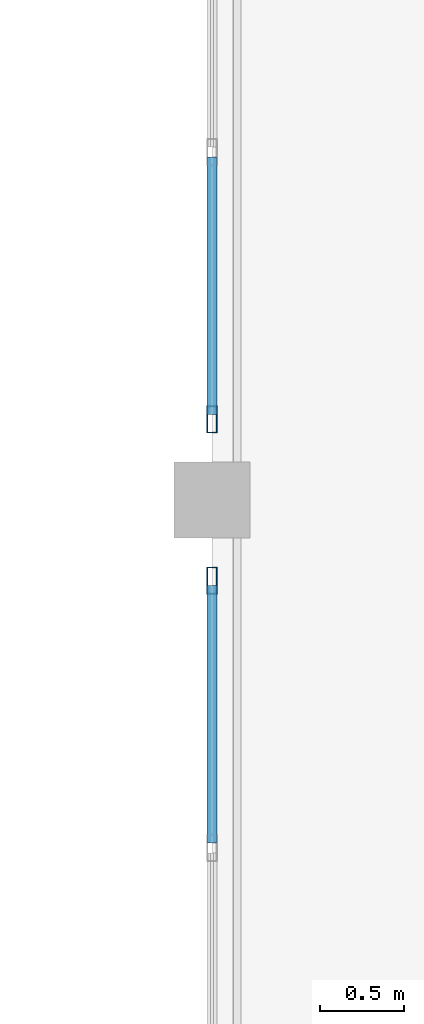
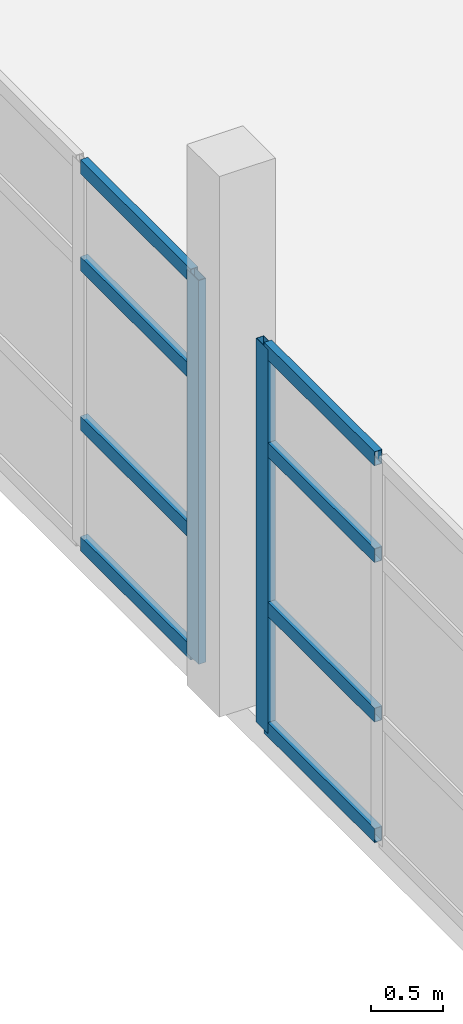
# One storey, part 18 of 80: 10 members, 2 elements without a shape of their own.
"""IFC4 building model written with IfcOpenShell, lengths in metres."""

import ifcopenshell
import ifcopenshell.guid

model = None  # the IFC model being written
_history = None  # IfcOwnerHistory: only IFC2X3 demands one
_inside = {}  # id of a spatial element -> (the spatial element, [elements in it])
_under = {}  # id of a project, library or spatial element -> (it, [spatial elements below it])
_declared = {}  # id of a project -> (the project, [libraries it declares])
_typed = {}  # id of a type object -> (the type object, [elements of that type])
_made_of = {}  # id of a material, layer set ... -> (it, [elements and type objects made of it])


def new_model(schema):
    """Start an empty IFC model of exactly this schema.

    Asked for "IFC4X3", IfcOpenShell would pick the latest addendum, in which some entities
    have other attributes; the version numbers below select the first issue.
    IFC2X3 requires an IfcOwnerHistory on every rooted entity: one is made here for all.
    """
    global model, _history
    if schema == "IFC4X3":
        model = ifcopenshell.file(schema_version=(4, 3, 0, 0))
    else:
        model = ifcopenshell.file(schema=schema)
    _inside.clear()
    _under.clear()
    _declared.clear()
    _typed.clear()
    _made_of.clear()
    _history = None
    if model.schema == "IFC2X3":
        org = make("IfcOrganization", Name="unknown")
        user = make(
            "IfcPersonAndOrganization",
            ThePerson=make("IfcPerson", FamilyName="unknown"),
            TheOrganization=org,
        )
        app = make(
            "IfcApplication",
            ApplicationDeveloper=org,
            Version="unknown",
            ApplicationFullName="unknown",
            ApplicationIdentifier="unknown",
        )
        _history = make(
            "IfcOwnerHistory",
            OwningUser=user,
            OwningApplication=app,
            ChangeAction="ADDED",
            CreationDate=0,
        )
    return model


def make(cls, **values):
    """One entity of the class cls with the attributes given. An attribute that is None is left unset."""
    return model.create_entity(
        cls, **{name: value for name, value in values.items() if value is not None}
    )


def rooted(cls, **values):
    """An entity with a GlobalId (a new one), such as an element, a storey or a relation."""
    return make(cls, GlobalId=ifcopenshell.guid.new(), OwnerHistory=_history, **values)


def si_unit(unit_type, name, prefix=None):
    """IfcSIUnit, for example si_unit("LENGTHUNIT", "METRE", prefix="MILLI")."""
    return make("IfcSIUnit", UnitType=unit_type, Prefix=prefix, Name=name)


def assignment(units):
    """IfcUnitAssignment: the units of a project."""
    return None if units is None else make("IfcUnitAssignment", Units=units)


def point(xyz):
    """IfcCartesianPoint."""
    return None if xyz is None else make("IfcCartesianPoint", Coordinates=xyz)


def direction(xyz):
    """IfcDirection."""
    return None if xyz is None else make("IfcDirection", DirectionRatios=xyz)


def frame(location, z_axis=None, x_axis=None):
    """IfcAxis2Placement3D, a coordinate frame: its origin and axes. An axis left out is left unset."""
    return make(
        "IfcAxis2Placement3D",
        Location=point(location),
        Axis=direction(z_axis),
        RefDirection=direction(x_axis),
    )


def frame_2d(location, x_axis=None):
    """IfcAxis2Placement2D, a coordinate frame in the plane: its origin and x axis."""
    return make(
        "IfcAxis2Placement2D", Location=point(location), RefDirection=direction(x_axis)
    )


def origin():
    """The frame at (0, 0, 0) with its axes left unset."""
    return frame((0.0, 0.0, 0.0))


def origin_2d():
    """The frame at (0, 0) in the plane with its x axis left unset."""
    return frame_2d((0.0, 0.0))


def place(relative_to, where):
    """IfcLocalPlacement: puts the frame where relative to a parent placement (None: the world)."""
    return make(
        "IfcLocalPlacement", PlacementRelTo=relative_to, RelativePlacement=where
    )


def context(
    kind, dimensions, precision=None, world=None, true_north=None, identifier=None
):
    """IfcGeometricRepresentationContext, for example the 3D "Model" context."""
    return make(
        "IfcGeometricRepresentationContext",
        ContextIdentifier=identifier,
        ContextType=kind,
        CoordinateSpaceDimension=dimensions,
        Precision=precision,
        WorldCoordinateSystem=world,
        TrueNorth=true_north,
    )


def subcontext(parent, identifier, kind, view, scale=None):
    """IfcGeometricRepresentationSubContext, for example "Body" below "Model"."""
    return make(
        "IfcGeometricRepresentationSubContext",
        ContextIdentifier=identifier,
        ContextType=kind,
        ParentContext=parent,
        TargetScale=scale,
        TargetView=view,
    )


def project(units=None, contexts=None):
    """IfcProject with its units and contexts."""
    return rooted(
        "IfcProject",
        Name="project",
        RepresentationContexts=contexts,
        UnitsInContext=assignment(units),
    )


def spatial(cls, under=None, at=None, **own):
    """A site, building, storey or space (cls), placed at a placement, below another one or the project."""
    s = rooted(cls, ObjectPlacement=at, **own)
    if under is not None:
        _under.setdefault(under.id(), (under, []))[1].append(s)
    return s


def profile(cls, at=None, kind="AREA", **sizes):
    """A parametric profile (cls). Its sizes go by their IFC names, for example OverallWidth=200.0."""
    return make(cls, ProfileType=kind, Position=at, **sizes)


def hollow_rectangle(**sizes):
    """IfcRectangleHollowProfileDef."""
    return profile("IfcRectangleHollowProfileDef", **sizes)


def extrude(swept, where, along, depth):
    """IfcExtrudedAreaSolid: the profile swept, set in the frame where, extruded along a direction by depth."""
    return make(
        "IfcExtrudedAreaSolid",
        SweptArea=swept,
        Position=where,
        ExtrudedDirection=direction(along),
        Depth=depth,
    )


def shape(context_of_items, identifier, shape_type, items):
    """IfcShapeRepresentation: the items that make up one representation, for example the "Body"."""
    return make(
        "IfcShapeRepresentation",
        ContextOfItems=context_of_items,
        RepresentationIdentifier=identifier,
        RepresentationType=shape_type,
        Items=items,
    )


def material(Name=None, Category=None):
    """IfcMaterial."""
    return make("IfcMaterial", Name=Name, Category=Category)


def layer(
    of_material, thickness, ventilated=None, Name=None, Category=None, Priority=None
):
    """IfcMaterialLayer: one layer of a wall or slab, of a material (None: an air gap)."""
    return make(
        "IfcMaterialLayer",
        Material=of_material,
        LayerThickness=thickness,
        IsVentilated=ventilated,
        Name=Name,
        Category=Category,
        Priority=Priority,
    )


def layer_set(layers, Name=None):
    """IfcMaterialLayerSet."""
    return make("IfcMaterialLayerSet", MaterialLayers=layers, LayerSetName=Name)


def material_profile(
    of_material, cross_section, Name=None, Category=None, Priority=None
):
    """IfcMaterialProfile: a cross section and its material."""
    return make(
        "IfcMaterialProfile",
        Name=Name,
        Material=of_material,
        Profile=cross_section,
        Priority=Priority,
        Category=Category,
    )


def profile_set(profiles, Name=None, composite=None):
    """IfcMaterialProfileSet."""
    return make(
        "IfcMaterialProfileSet",
        Name=Name,
        MaterialProfiles=profiles,
        CompositeProfile=composite,
    )


def made_of(thing, what):
    """Note that an element or type object is made of a material, layer set ...; save() writes the relation."""
    if what is not None:
        _made_of.setdefault(what.id(), (what, []))[1].append(thing)
    return thing


def type_object(cls, material=None, **own):
    """A type object (cls), such as IfcWallType, which elements share."""
    return made_of(rooted(cls, **own), material)


def element(
    cls,
    number,
    at=None,
    inside=None,
    cuts=None,
    type_object=None,
    material=None,
    context=None,
    identifier="Body",
    shape_type=None,
    held_by="IfcProductDefinitionShape",
    body=None,
    shapes=None,
    **own,
):
    """One element of the class cls, such as IfcWall. Its Tag is "e" and its number.

    at: its placement. inside: the storey or other place that contains it. cuts: it is an
    opening in that element (IfcRelVoidsElement). A single representation is given by context,
    identifier, shape_type and body (its items); several are given by shapes. held_by: the class
    of the entity that holds the representations. save() writes the other relations.
    """
    e = rooted(cls, Tag="e%d" % number, ObjectPlacement=at, **own)
    if body is not None:
        shapes = [shape(context, identifier, shape_type, body)]
    if shapes is not None:
        e.Representation = make(held_by, Representations=shapes)
    if inside is not None:
        _inside.setdefault(inside.id(), (inside, []))[1].append(e)
    if cuts is not None:
        rooted(
            "IfcRelVoidsElement", RelatingBuildingElement=cuts, RelatedOpeningElement=e
        )
    if type_object is not None:
        _typed.setdefault(type_object.id(), (type_object, []))[1].append(e)
    return made_of(e, material)


def aggregate(whole, parts):
    """IfcRelAggregates: a whole, such as a stair, and the parts it consists of."""
    return rooted("IfcRelAggregates", RelatingObject=whole, RelatedObjects=parts)


def save(model, path):
    """Write the relations noted so far, then the file.

    IfcRelAggregates (storeys below a building ...), IfcRelContainedInSpatialStructure (elements
    in a storey), IfcRelDefinesByType, IfcRelAssociatesMaterial and IfcRelDeclares: one each for
    every whole, place, type object, material and project.
    """
    for whole, parts in _under.values():
        aggregate(whole, parts)
    for where, things in _inside.values():
        rooted(
            "IfcRelContainedInSpatialStructure",
            RelatedElements=things,
            RelatingStructure=where,
        )
    for kind, things in _typed.values():
        rooted("IfcRelDefinesByType", RelatedObjects=things, RelatingType=kind)
    for what, things in _made_of.values():
        rooted("IfcRelAssociatesMaterial", RelatedObjects=things, RelatingMaterial=what)
    for by, libraries in _declared.values():
        rooted("IfcRelDeclares", RelatingContext=by, RelatedDefinitions=libraries)
    model.write(path)


model = new_model("IFC4")

# Units and contexts
model_context = context("Model", 3, precision=1e-05, world=origin(), true_north=direction((0.0, 1.0)))
body_context = subcontext(model_context, "Body", "Model", "MODEL_VIEW")
ifc_project = project(units=[si_unit("LENGTHUNIT", "METRE"), si_unit("AREAUNIT", "SQUARE_METRE"), si_unit("VOLUMEUNIT", "CUBIC_METRE"), si_unit("PLANEANGLEUNIT", "RADIAN"), si_unit("MASSUNIT", "GRAM", prefix="KILO")], contexts=[model_context])

# Site, building, storey
site_placement = place(None, origin())
site = spatial("IfcSite", under=ifc_project, at=site_placement, CompositionType="ELEMENT")
building_placement = place(site_placement, origin())
building = spatial("IfcBuilding", under=site, at=building_placement, Name="Ornek Quay Market", CompositionType="ELEMENT")
storey_placement = place(building_placement, frame((0.0, 0.0, 8.39990234375)))
storey = spatial("IfcBuildingStorey", under=building, at=storey_placement, Name="L02", CompositionType="ELEMENT", Elevation=8.39990234375)

# Curtain wall, member
ifc_material_1 = material(Name="Anodised bronze aluminium and triple low-e glass", Category="aluminium")
ifc_layer = layer(ifc_material_1, 0.139892578125, Name="Anodised bronze aluminium and triple low-e glass", Category="aluminium")
ifc_layer_set = layer_set([ifc_layer], Name="Anodised bronze aluminium and triple low-e glass")
curtain_wall_type = type_object("IfcCurtainWallType", Name="CW-GALLERY-INT", PredefinedType="USERDEFINED", material=ifc_layer_set)
curtain_wall_1_placement = place(storey_placement, origin())
curtain_wall_1 = element("IfcCurtainWall", 1, at=curtain_wall_1_placement, inside=storey, type_object=curtain_wall_type, Name="Curtain wall CW-117", ObjectType="CURTAIN WALL", PredefinedType="USERDEFINED")
ifc_material_2 = material(Name="Anodised aluminium 6063-T6", Category="aluminium")
ifc_material_profile_1 = material_profile(ifc_material_2, hollow_rectangle(XDim=0.06005859375, YDim=0.159912109375, WallThickness=0.00390625, at=origin_2d()), Name="CW-MUL-60x160", Category="aluminium")
ifc_profile_set_1 = profile_set([ifc_material_profile_1], Name="Anodised aluminium 6063-T6")
member_type_1 = type_object("IfcMemberType", Name="CW-MUL-60x160", PredefinedType="MULLION", material=ifc_profile_set_1)
member_1_placement = place(storey_placement, frame((108.0, 55.52001953125, 0.0), z_axis=(0.0, 0.0, 1.0), x_axis=(-1.0, 0.0, 0.0)))
member_1 = element("IfcMember", 2, at=member_1_placement, type_object=member_type_1, Name="CW-117 mullion 6", PredefinedType="MULLION", context=body_context, shape_type="SweptSolid", body=[
    extrude(hollow_rectangle(XDim=0.06005859375, YDim=0.159912109375, WallThickness=0.00390625, at=origin_2d()), origin(), (0.0, 0.0, 1.0), 3.25),
])

curtain_wall_2_placement = place(storey_placement, origin())
curtain_wall_2 = element("IfcCurtainWall", 3, at=curtain_wall_2_placement, inside=storey, type_object=curtain_wall_type, Name="Curtain wall CW-118", ObjectType="CURTAIN WALL", PredefinedType="USERDEFINED")
member_2_placement = place(storey_placement, frame((108.0, 56.47998046875, 0.0), z_axis=(0.0, 0.0, 1.0), x_axis=(-1.0, 0.0, 0.0)))
member_2 = element("IfcMember", 4, at=member_2_placement, type_object=member_type_1, Name="CW-118 mullion 1", PredefinedType="MULLION", context=body_context, shape_type="SweptSolid", body=[
    extrude(hollow_rectangle(XDim=0.06005859375, YDim=0.159912109375, WallThickness=0.00390625, at=origin_2d()), origin(), (0.0, 0.0, 1.0), 3.25),
])

# Member
ifc_material_profile_2 = material_profile(ifc_material_2, hollow_rectangle(XDim=0.06005859375, YDim=0.1201171875, WallThickness=0.00390625, at=origin_2d()), Name="CW-TRN-60x120", Category="aluminium")
ifc_profile_set_2 = profile_set([ifc_material_profile_2], Name="Anodised aluminium 6063-T6")
member_type_2 = type_object("IfcMemberType", Name="CW-TRN-60x120", PredefinedType="USERDEFINED", material=ifc_profile_set_2)
member_3_placement = place(storey_placement, frame((108.0, 53.9599609375, 0.030029296875), z_axis=(0.0, 1.0, 0.0), x_axis=(-1.0, 0.0, 0.0)))
member_3 = element("IfcMember", 5, at=member_3_placement, type_object=member_type_2, Name="CW-117 transom 5.1", ObjectType="TRANSOM", PredefinedType="USERDEFINED", context=body_context, shape_type="SweptSolid", body=[
    extrude(hollow_rectangle(XDim=0.06005859375, YDim=0.1201171875, WallThickness=0.00390625, at=origin_2d()), origin(), (0.0, 0.0, 1.0), 1.530029296875),
])

member_4_placement = place(storey_placement, frame((108.0, 53.9599609375, 1.050048828125), z_axis=(0.0, 1.0, 0.0), x_axis=(-1.0, 0.0, 0.0)))
member_4 = element("IfcMember", 6, at=member_4_placement, type_object=member_type_2, Name="CW-117 transom 5.2", ObjectType="TRANSOM", PredefinedType="USERDEFINED", context=body_context, shape_type="SweptSolid", body=[
    extrude(hollow_rectangle(XDim=0.06005859375, YDim=0.1201171875, WallThickness=0.00390625, at=origin_2d()), origin(), (0.0, 0.0, 1.0), 1.530029296875),
])

member_5_placement = place(storey_placement, frame((108.0, 53.9599609375, 2.400146484375), z_axis=(0.0, 1.0, 0.0), x_axis=(-1.0, 0.0, 0.0)))
member_5 = element("IfcMember", 7, at=member_5_placement, type_object=member_type_2, Name="CW-117 transom 5.3", ObjectType="TRANSOM", PredefinedType="USERDEFINED", context=body_context, shape_type="SweptSolid", body=[
    extrude(hollow_rectangle(XDim=0.06005859375, YDim=0.1201171875, WallThickness=0.00390625, at=origin_2d()), origin(), (0.0, 0.0, 1.0), 1.530029296875),
])

member_6_placement = place(storey_placement, frame((108.0, 53.9599609375, 3.22021484375), z_axis=(0.0, 1.0, 0.0), x_axis=(-1.0, 0.0, 0.0)))
member_6 = element("IfcMember", 8, at=member_6_placement, type_object=member_type_2, Name="CW-117 transom 5.4", ObjectType="TRANSOM", PredefinedType="USERDEFINED", context=body_context, shape_type="SweptSolid", body=[
    extrude(hollow_rectangle(XDim=0.06005859375, YDim=0.1201171875, WallThickness=0.00390625, at=origin_2d()), origin(), (0.0, 0.0, 1.0), 1.530029296875),
])

aggregate(curtain_wall_1, [member_1, member_3, member_4, member_5, member_6])

member_7_placement = place(storey_placement, frame((108.0, 56.510009765625, 0.030029296875), z_axis=(0.0, 1.0, 0.0), x_axis=(-1.0, 0.0, 0.0)))
member_7 = element("IfcMember", 9, at=member_7_placement, type_object=member_type_2, Name="CW-118 transom 1.1", ObjectType="TRANSOM", PredefinedType="USERDEFINED", context=body_context, shape_type="SweptSolid", body=[
    extrude(hollow_rectangle(XDim=0.06005859375, YDim=0.1201171875, WallThickness=0.00390625, at=origin_2d()), origin(), (0.0, 0.0, 1.0), 1.530029296875),
])

member_8_placement = place(storey_placement, frame((108.0, 56.510009765625, 1.050048828125), z_axis=(0.0, 1.0, 0.0), x_axis=(-1.0, 0.0, 0.0)))
member_8 = element("IfcMember", 10, at=member_8_placement, type_object=member_type_2, Name="CW-118 transom 1.2", ObjectType="TRANSOM", PredefinedType="USERDEFINED", context=body_context, shape_type="SweptSolid", body=[
    extrude(hollow_rectangle(XDim=0.06005859375, YDim=0.1201171875, WallThickness=0.00390625, at=origin_2d()), origin(), (0.0, 0.0, 1.0), 1.530029296875),
])

member_9_placement = place(storey_placement, frame((108.0, 56.510009765625, 2.400146484375), z_axis=(0.0, 1.0, 0.0), x_axis=(-1.0, 0.0, 0.0)))
member_9 = element("IfcMember", 11, at=member_9_placement, type_object=member_type_2, Name="CW-118 transom 1.3", ObjectType="TRANSOM", PredefinedType="USERDEFINED", context=body_context, shape_type="SweptSolid", body=[
    extrude(hollow_rectangle(XDim=0.06005859375, YDim=0.1201171875, WallThickness=0.00390625, at=origin_2d()), origin(), (0.0, 0.0, 1.0), 1.530029296875),
])

member_10_placement = place(storey_placement, frame((108.0, 56.510009765625, 3.22021484375), z_axis=(0.0, 1.0, 0.0), x_axis=(-1.0, 0.0, 0.0)))
member_10 = element("IfcMember", 12, at=member_10_placement, type_object=member_type_2, Name="CW-118 transom 1.4", ObjectType="TRANSOM", PredefinedType="USERDEFINED", context=body_context, shape_type="SweptSolid", body=[
    extrude(hollow_rectangle(XDim=0.06005859375, YDim=0.1201171875, WallThickness=0.00390625, at=origin_2d()), origin(), (0.0, 0.0, 1.0), 1.530029296875),
])

aggregate(curtain_wall_2, [member_2, member_7, member_8, member_9, member_10])

save(model, "model.ifc")
